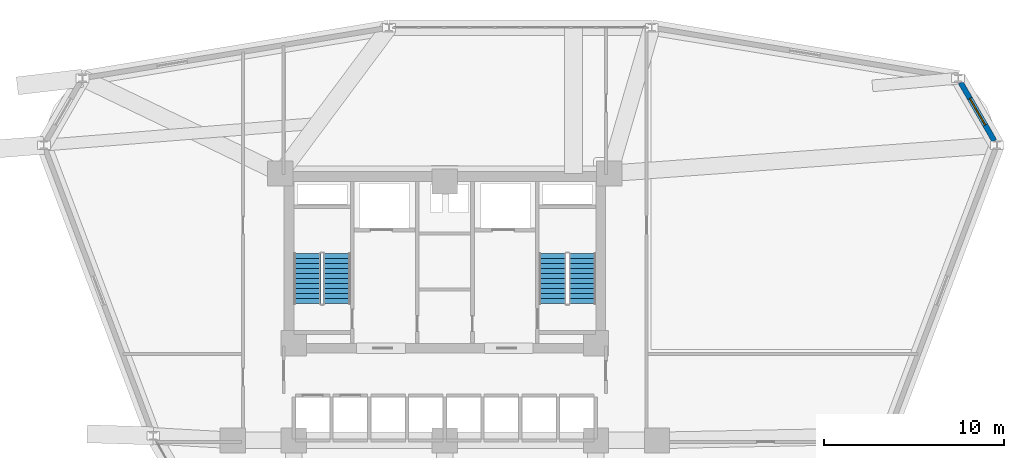
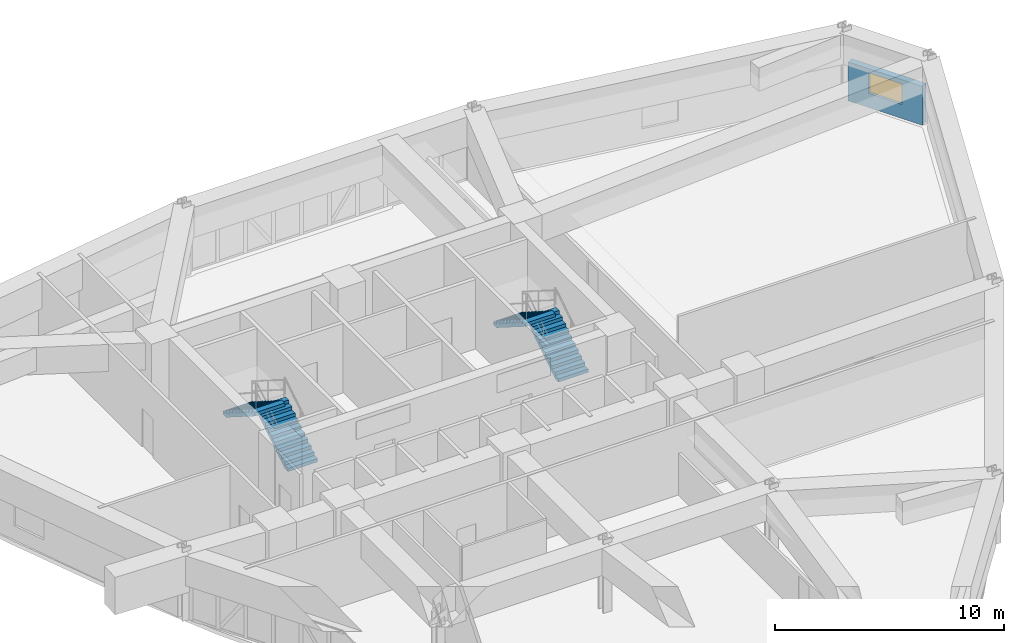
# One storey, part 16 of 18: 4 stair flights, 1 wall, 1 window, 1 opening, 2 elements without a shape of their own.
"""IFC4 building model written with IfcOpenShell, lengths in metres."""

from ifc_helpers import new_model, si_unit, derived_unit, direction, frame, frame_2d, origin, place, context, subcontext, project, spatial, polyline, rectangle, outline, extrude, material, layer, layer_set, type_object, element, fill, aggregate, save


model = new_model("IFC4")

# Units and contexts
model_context = context("Model", 3, precision=1e-05, world=origin(), true_north=direction((0.0, 1.0)))
body_context = subcontext(model_context, "Body", "Model", "MODEL_VIEW")
ifc_project = project(units=[si_unit("LENGTHUNIT", "METRE"), si_unit("AREAUNIT", "SQUARE_METRE"), si_unit("VOLUMEUNIT", "CUBIC_METRE"), si_unit("PLANEANGLEUNIT", "RADIAN"), si_unit("MASSUNIT", "GRAM", prefix="KILO"), derived_unit("THERMALTRANSMITTANCEUNIT", [(si_unit("POWERUNIT", "WATT"), 1), (si_unit("LENGTHUNIT", "METRE"), -2), (si_unit("THERMODYNAMICTEMPERATUREUNIT", "KELVIN"), -1)])], contexts=[model_context])

# Site, building, storey
site_placement = place(None, origin())
site = spatial("IfcSite", under=ifc_project, at=site_placement, CompositionType="ELEMENT")
building_placement = place(site_placement, origin())
building = spatial("IfcBuilding", under=site, at=building_placement, Name="Korsvarv Bourse and Concert Hall", CompositionType="ELEMENT")
storey_placement = place(building_placement, frame((0.0, 0.0, 95.10009765625)))
storey = spatial("IfcBuildingStorey", under=building, at=storey_placement, Name="L23", CompositionType="ELEMENT", Elevation=95.10009765625)

# Wall, opening, window
ifc_material_1 = material(Name="Precast concrete C45/55 with terracotta rainscreen", Category="concrete")
ifc_layer = layer(ifc_material_1, 0.300048828125)
ifc_layer_set = layer_set([ifc_layer], Name="Precast concrete C45/55 with terracotta rainscreen")
wall_type = type_object("IfcWallType", Name="WL-EXT-TC1", PredefinedType="SOLIDWALL", material=ifc_layer_set)
wall_placement = place(storey_placement, frame((66.565185546875, 49.0615234375, 0.0), z_axis=(0.0, 0.0, 1.0), x_axis=(-0.500012356405, 0.866018269693, 0.0)))
wall = element("IfcWall", 1, at=wall_placement, inside=storey, type_object=wall_type, Name="L23 terracotta exterior wall EW-L23-B01", PredefinedType="SOLIDWALL", context=body_context, shape_type="SweptSolid", body=[
    extrude(rectangle(XDim=3.7421875, YDim=0.300048828125, at=frame_2d((1.87109375, 0.0))), origin(), (0.0, 0.0, 1.0), 2.06982421875),
])
opening_placement = place(wall_placement, frame((1.02099609375, 0.0, 0.75)))
opening = element("IfcOpeningElement", 2, at=opening_placement, cuts=wall, Name="Opening W-07", PredefinedType="OPENING", context=body_context, shape_type="SweptSolid", body=[
    extrude(rectangle(XDim=1.699951171875, YDim=1.10009765625, at=frame_2d((0.85009765625, 0.550048828125))), frame((0.0, 0.16015625, 0.0), z_axis=(0.0, -1.0, 0.0), x_axis=(1.0, 0.0, 0.0)), (0.0, 0.0, 1.0), 0.320068359375),
])
ifc_material_2 = material(Name="Thermally broken aluminium frame with triple low-E glass", Category="glass")
window_type = type_object("IfcWindowType", Name="WIN-TW1-1700X1100", PartitioningType="SINGLE_PANEL", PredefinedType="WINDOW", material=ifc_material_2)
window_placement = place(opening_placement, origin())
window = element("IfcWindow", 3, at=window_placement, inside=storey, type_object=window_type, Name="L23 punched facade window W-07", OverallHeight=1.10009765625, OverallWidth=1.699951171875, PartitioningType="SINGLE_PANEL", PredefinedType="WINDOW", context=body_context, shape_type="SweptSolid", body=[
    extrude(rectangle(XDim=1.699951171875, YDim=1.10009765625, at=frame_2d((0.85009765625, 0.550048828125))), frame((0.0, 0.030029296875, 0.0), z_axis=(0.0, -1.0, 0.0), x_axis=(1.0, 0.0, 0.0)), (0.0, 0.0, 1.0), 0.06005859375),
])
fill(opening, window)

# Stair, stair flights
ifc_material_3 = material(Name="Precast concrete C45/55", Category="concrete")
stair_type = type_object("IfcStairType", Name="STR-TYPE-03", PredefinedType="HALF_TURN_STAIR", material=ifc_material_3)
stair_1_placement = place(storey_placement, origin())
stair_1 = element("IfcStair", 4, at=stair_1_placement, inside=storey, type_object=stair_type, Name="L23 Tower West Exit Stair ST-T1", PredefinedType="HALF_TURN_STAIR")
stair_flight_type = type_object("IfcStairFlightType", Name="FLT-TYPE-03", PredefinedType="STRAIGHT", material=ifc_material_3)
stair_flight_1_placement = place(storey_placement, frame((30.010009765625, 40.0, 0.0), z_axis=(0.0, 0.0, 1.0), x_axis=(0.0, 1.0, 0.0)))
stair_flight_1 = element("IfcStairFlight", 5, at=stair_flight_1_placement, type_object=stair_flight_type, Name="ST-T1 flight 1", NumberOfRisers=11, NumberOfTreads=10, PredefinedType="STRAIGHT", RiserHeight=0.177272727, TreadLength=0.28, context=body_context, shape_type="SweptSolid", body=[
    extrude(outline(polyline([(0.0, 0.0), (0.0, 0.17724609375), (0.280029296875, 0.17724609375), (0.280029296875, 0.3544921875), (0.56005859375, 0.3544921875), (0.56005859375, 0.53173828125), (0.840087890625, 0.53173828125), (0.840087890625, 0.708984375), (1.1201171875, 0.708984375), (1.1201171875, 0.886474609375), (1.39990234375, 0.886474609375), (1.39990234375, 1.063720703125), (1.679931640625, 1.063720703125), (1.679931640625, 1.240966796875), (1.9599609375, 1.240966796875), (1.9599609375, 1.418212890625), (2.239990234375, 1.418212890625), (2.239990234375, 1.595458984375), (2.52001953125, 1.595458984375), (2.52001953125, 1.772705078125), (2.800048828125, 1.772705078125), (2.800048828125, 1.949951171875), (2.800048828125, 1.59521484375), (0.2802734375, 0.0), (0.0, 0.0)])), frame((0.0, 0.75, 0.0), z_axis=(0.0, -1.0, 0.0), x_axis=(1.0, 0.0, 0.0)), (0.0, 0.0, 1.0), 1.5),
])
stair_flight_2_placement = place(storey_placement, frame((28.35009765625, 42.800048828125, 1.949951171875), z_axis=(0.0, 0.0, 1.0), x_axis=(0.0, -1.0, 0.0)))
stair_flight_2 = element("IfcStairFlight", 6, at=stair_flight_2_placement, type_object=stair_flight_type, Name="ST-T1 flight 2", NumberOfRisers=11, NumberOfTreads=10, PredefinedType="STRAIGHT", RiserHeight=0.177272727, TreadLength=0.28, context=body_context, shape_type="SweptSolid", body=[
    extrude(outline(polyline([(0.0, 0.0), (0.0, 0.17724609375), (0.280029296875, 0.17724609375), (0.280029296875, 0.3544921875), (0.56005859375, 0.3544921875), (0.56005859375, 0.53173828125), (0.840087890625, 0.53173828125), (0.840087890625, 0.708984375), (1.1201171875, 0.708984375), (1.1201171875, 0.886474609375), (1.39990234375, 0.886474609375), (1.39990234375, 1.063720703125), (1.679931640625, 1.063720703125), (1.679931640625, 1.240966796875), (1.9599609375, 1.240966796875), (1.9599609375, 1.418212890625), (2.239990234375, 1.418212890625), (2.239990234375, 1.595458984375), (2.52001953125, 1.595458984375), (2.52001953125, 1.772705078125), (2.800048828125, 1.772705078125), (2.800048828125, 1.949951171875), (2.800048828125, 1.59521484375), (0.2802734375, 0.0), (0.0, 0.0)])), frame((0.0, 0.75, 0.0), z_axis=(0.0, -1.0, 0.0), x_axis=(1.0, 0.0, 0.0)), (0.0, 0.0, 1.0), 1.5),
])
aggregate(stair_1, [stair_flight_1, stair_flight_2])

stair_2_placement = place(storey_placement, origin())
stair_2 = element("IfcStair", 7, at=stair_2_placement, inside=storey, type_object=stair_type, Name="L23 Tower East Exit Stair ST-T2", PredefinedType="HALF_TURN_STAIR")
stair_flight_3_placement = place(storey_placement, frame((43.64990234375, 40.0, 0.0), z_axis=(0.0, 0.0, 1.0), x_axis=(0.0, 1.0, 0.0)))
stair_flight_3 = element("IfcStairFlight", 8, at=stair_flight_3_placement, type_object=stair_flight_type, Name="ST-T2 flight 1", NumberOfRisers=11, NumberOfTreads=10, PredefinedType="STRAIGHT", RiserHeight=0.177272727, TreadLength=0.28, context=body_context, shape_type="SweptSolid", body=[
    extrude(outline(polyline([(0.0, 0.0), (0.0, 0.17724609375), (0.280029296875, 0.17724609375), (0.280029296875, 0.3544921875), (0.56005859375, 0.3544921875), (0.56005859375, 0.53173828125), (0.840087890625, 0.53173828125), (0.840087890625, 0.708984375), (1.1201171875, 0.708984375), (1.1201171875, 0.886474609375), (1.39990234375, 0.886474609375), (1.39990234375, 1.063720703125), (1.679931640625, 1.063720703125), (1.679931640625, 1.240966796875), (1.9599609375, 1.240966796875), (1.9599609375, 1.418212890625), (2.239990234375, 1.418212890625), (2.239990234375, 1.595458984375), (2.52001953125, 1.595458984375), (2.52001953125, 1.772705078125), (2.800048828125, 1.772705078125), (2.800048828125, 1.949951171875), (2.800048828125, 1.59521484375), (0.2802734375, 0.0), (0.0, 0.0)])), frame((0.0, 0.75, 0.0), z_axis=(0.0, -1.0, 0.0), x_axis=(1.0, 0.0, 0.0)), (0.0, 0.0, 1.0), 1.5),
])
stair_flight_4_placement = place(storey_placement, frame((41.989990234375, 42.800048828125, 1.949951171875), z_axis=(0.0, 0.0, 1.0), x_axis=(0.0, -1.0, 0.0)))
stair_flight_4 = element("IfcStairFlight", 9, at=stair_flight_4_placement, type_object=stair_flight_type, Name="ST-T2 flight 2", NumberOfRisers=11, NumberOfTreads=10, PredefinedType="STRAIGHT", RiserHeight=0.177272727, TreadLength=0.28, context=body_context, shape_type="SweptSolid", body=[
    extrude(outline(polyline([(0.0, 0.0), (0.0, 0.17724609375), (0.280029296875, 0.17724609375), (0.280029296875, 0.3544921875), (0.56005859375, 0.3544921875), (0.56005859375, 0.53173828125), (0.840087890625, 0.53173828125), (0.840087890625, 0.708984375), (1.1201171875, 0.708984375), (1.1201171875, 0.886474609375), (1.39990234375, 0.886474609375), (1.39990234375, 1.063720703125), (1.679931640625, 1.063720703125), (1.679931640625, 1.240966796875), (1.9599609375, 1.240966796875), (1.9599609375, 1.418212890625), (2.239990234375, 1.418212890625), (2.239990234375, 1.595458984375), (2.52001953125, 1.595458984375), (2.52001953125, 1.772705078125), (2.800048828125, 1.772705078125), (2.800048828125, 1.949951171875), (2.800048828125, 1.59521484375), (0.2802734375, 0.0), (0.0, 0.0)])), frame((0.0, 0.75, 0.0), z_axis=(0.0, -1.0, 0.0), x_axis=(1.0, 0.0, 0.0)), (0.0, 0.0, 1.0), 1.5),
])
aggregate(stair_2, [stair_flight_3, stair_flight_4])

save(model, "model.ifc")
